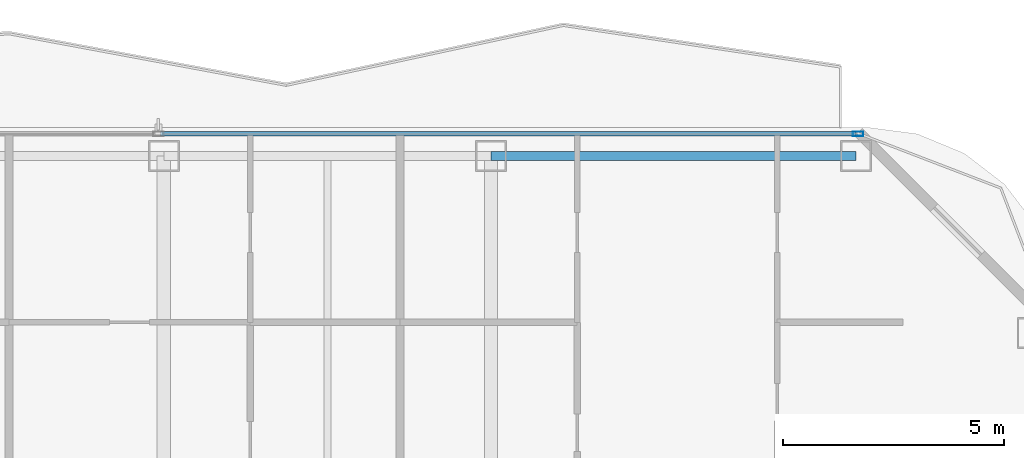
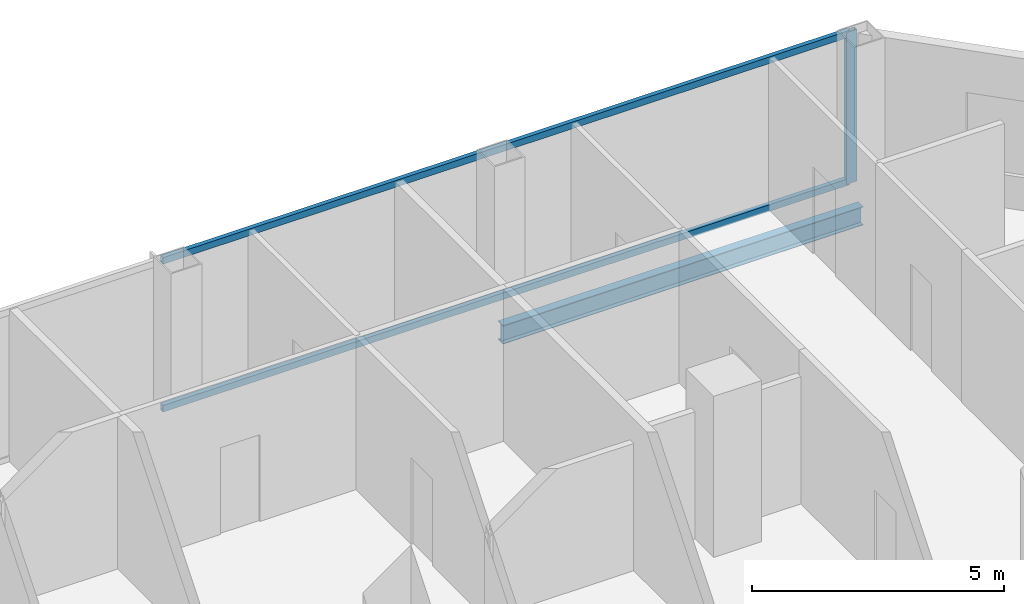
# One storey, part 17 of 30: 3 members, 1 beam, 1 element without a shape of its own.
"""IFC4 building model written with IfcOpenShell, lengths in metres."""

from ifc_helpers import new_model, si_unit, direction, frame, origin, origin_2d, place, context, subcontext, project, spatial, hollow_rectangle, i_section, extrude, material, layer, layer_set, material_profile, profile_set, type_object, element, aggregate, save


model = new_model("IFC4")

# Units and contexts
model_context = context("Model", 3, precision=1e-05, world=origin(), true_north=direction((0.0, 1.0)))
body_context = subcontext(model_context, "Body", "Model", "MODEL_VIEW")
ifc_project = project(units=[si_unit("LENGTHUNIT", "METRE"), si_unit("AREAUNIT", "SQUARE_METRE"), si_unit("VOLUMEUNIT", "CUBIC_METRE"), si_unit("PLANEANGLEUNIT", "RADIAN"), si_unit("MASSUNIT", "GRAM", prefix="KILO")], contexts=[model_context])

# Site, building, storey
site_placement = place(None, origin())
site = spatial("IfcSite", under=ifc_project, at=site_placement, CompositionType="ELEMENT")
building_placement = place(site_placement, origin())
building = spatial("IfcBuilding", under=site, at=building_placement, Name="Khorvyn Point Tower", CompositionType="ELEMENT")
storey_placement = place(building_placement, frame((0.0, 0.0, 117.300048828125)))
storey = spatial("IfcBuildingStorey", under=building, at=storey_placement, Name="L29", CompositionType="ELEMENT", Elevation=117.300048828125)

# Curtain wall, members
ifc_material_1 = material(Name="Anodised aluminium 6063-T6 and laminated Low-E glass", Category="aluminium")
ifc_layer = layer(ifc_material_1, 0.18994140625)
ifc_layer_set = layer_set([ifc_layer], Name="Stick-Built Acoustic Curtain Wall CW-SYS-03")
curtain_wall_type = type_object("IfcCurtainWallType", Name="Stick-Built Acoustic Curtain Wall CW-SYS-03", PredefinedType="NOTDEFINED", material=ifc_layer_set)
curtain_wall_placement = place(storey_placement, origin())
curtain_wall = element("IfcCurtainWall", 1, at=curtain_wall_placement, inside=storey, type_object=curtain_wall_type, Name="Curtain Wall", PredefinedType="NOTDEFINED")
ifc_material_2 = material(Name="Anodised aluminium 6063-T6", Category="aluminium")
ifc_material_profile_1 = material_profile(ifc_material_2, hollow_rectangle(XDim=0.10009765625, YDim=0.239990234375, WallThickness=0.0048828125, at=origin_2d()))
ifc_profile_set_1 = profile_set([ifc_material_profile_1], Name="Anodised aluminium 6063-T6 ALU-MUL-100x240")
member_type_1 = type_object("IfcMemberType", Name="Anodised Aluminium 6063-T6 Mullion ALU-MUL-100x240", PredefinedType="MULLION", material=ifc_profile_set_1)
member_1_placement = place(storey_placement, frame((23.10009765625, 29.449951171875, 0.0), z_axis=(0.0, 0.0, 1.0), x_axis=(0.0, 1.0, 0.0)))
member_1 = element("IfcMember", 2, at=member_1_placement, type_object=member_type_1, Name="Transom", PredefinedType="MULLION", context=body_context, shape_type="SweptSolid", body=[
    extrude(hollow_rectangle(XDim=0.10009765625, YDim=0.239990234375, WallThickness=0.0048828125, at=origin_2d()), origin(), (0.0, 0.0, 1.0), 3.679931640625),
])
ifc_material_profile_2 = material_profile(ifc_material_2, hollow_rectangle(XDim=0.10009765625, YDim=0.159912109375, WallThickness=0.00439453125, at=origin_2d()))
ifc_profile_set_2 = profile_set([ifc_material_profile_2], Name="Anodised aluminium 6063-T6 ALU-TRN-100x160")
member_type_2 = type_object("IfcMemberType", Name="Anodised Aluminium 6063-T6 Transom ALU-TRN-100x160", PredefinedType="USERDEFINED", material=ifc_profile_set_2)
member_2_placement = place(storey_placement, frame((7.325439453125, 29.449951171875, 0.050048828125), z_axis=(1.0, 0.0, 0.0), x_axis=(0.0, 1.0, 0.0)))
member_2 = element("IfcMember", 3, at=member_2_placement, type_object=member_type_2, Name="Transom", ObjectType="TRANSOM", PredefinedType="USERDEFINED", context=body_context, shape_type="SweptSolid", body=[
    extrude(hollow_rectangle(XDim=0.10009765625, YDim=0.159912109375, WallThickness=0.00439453125, at=origin_2d()), origin(), (0.0, 0.0, 1.0), 15.724609375),
])
member_3_placement = place(storey_placement, frame((7.325439453125, 29.449951171875, 3.6298828125), z_axis=(1.0, 0.0, 0.0), x_axis=(0.0, 1.0, 0.0)))
member_3 = element("IfcMember", 4, at=member_3_placement, type_object=member_type_2, Name="Transom", ObjectType="TRANSOM", PredefinedType="USERDEFINED", context=body_context, shape_type="SweptSolid", body=[
    extrude(hollow_rectangle(XDim=0.10009765625, YDim=0.159912109375, WallThickness=0.00439453125, at=origin_2d()), origin(), (0.0, 0.0, 1.0), 15.724609375),
])
aggregate(curtain_wall, [member_1, member_2, member_3])

# Beam
ifc_material_3 = material(Name="Steel S355", Category="steel")
ifc_material_profile_3 = material_profile(ifc_material_3, i_section(OverallWidth=0.199951171875, OverallDepth=0.449951171875, WebThickness=0.009033203125, FlangeThickness=0.013916015625, at=origin_2d()))
ifc_profile_set_3 = profile_set([ifc_material_profile_3], Name="Steel S355 H450x200x9x14")
beam_type = type_object("IfcBeamType", Name="Steel S355 Spandrel H450x200x9x14", PredefinedType="SPANDREL", material=ifc_profile_set_3)
beam_placement = place(storey_placement, frame((14.800048828125, 28.949951171875, -0.445068359375), z_axis=(1.0, 0.0, 0.0), x_axis=(0.0, 1.0, 0.0)))
element("IfcBeam", 5, at=beam_placement, inside=storey, type_object=beam_type, Name="Beam", PredefinedType="SPANDREL", context=body_context, shape_type="SweptSolid", body=[
    extrude(i_section(OverallWidth=0.199951171875, OverallDepth=0.449951171875, WebThickness=0.009033203125, FlangeThickness=0.013916015625, at=origin_2d()), origin(), (0.0, 0.0, 1.0), 8.25),
])

save(model, "model.ifc")
